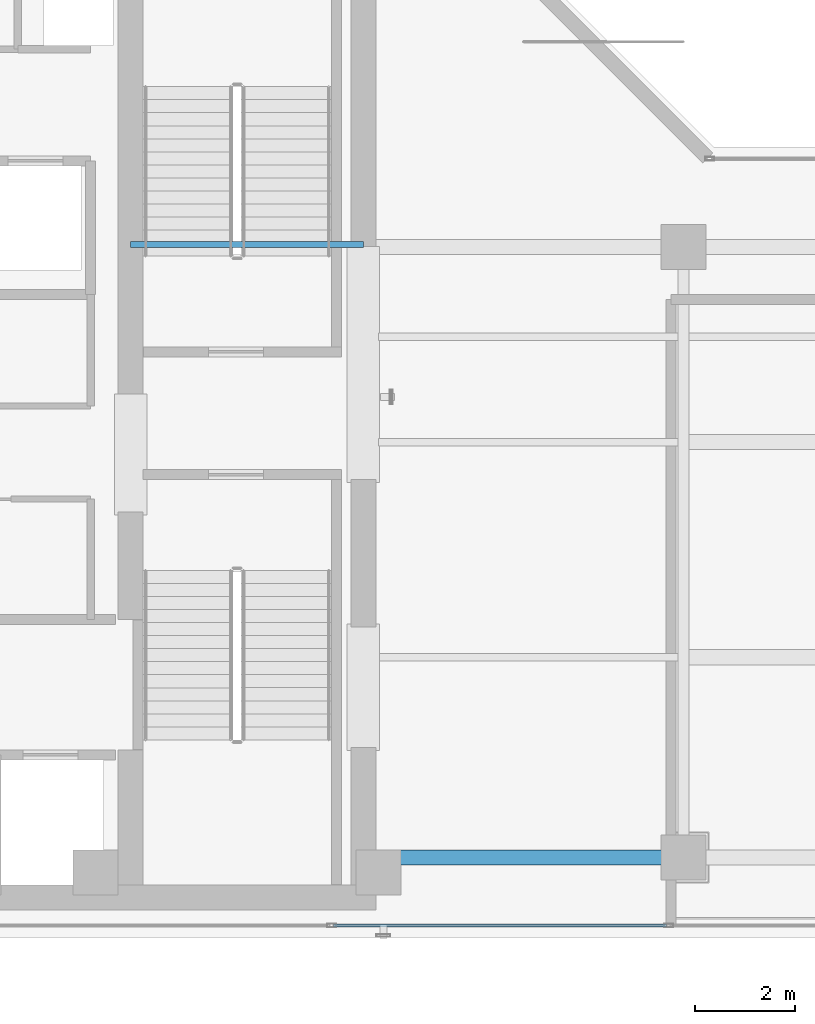
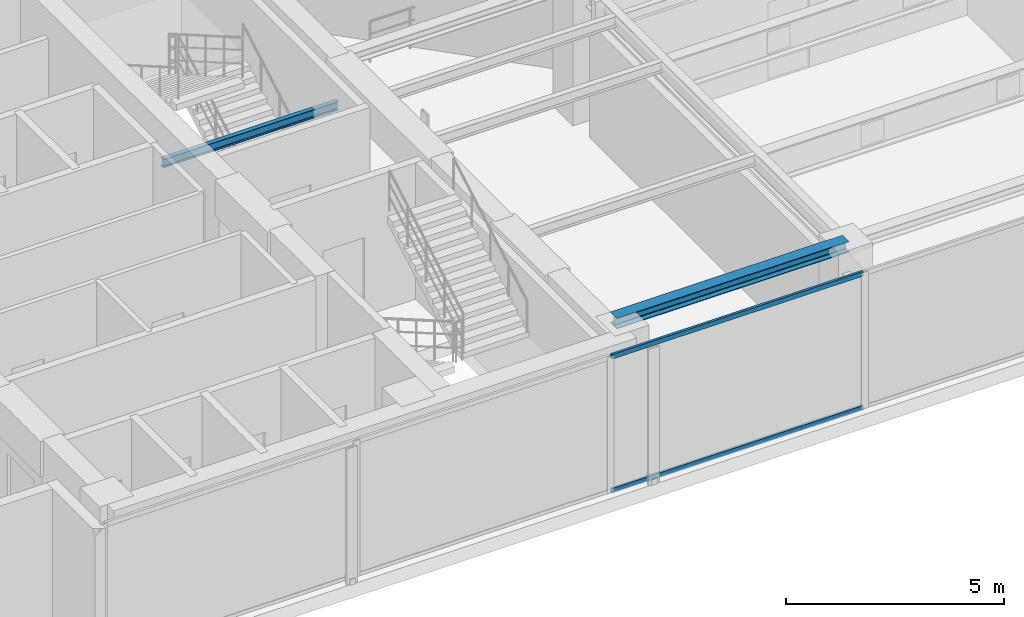
# One storey, part 5 of 32: 2 beams, 2 members, 1 element without a shape of its own.
"""IFC4 building model written with IfcOpenShell, lengths in metres."""

from ifc_helpers import new_model, si_unit, direction, frame, origin, origin_with_axes, origin_2d, place, context, subcontext, project, spatial, hollow_rectangle, i_section, extrude, source, transform, mapped, material, layer, layer_set, material_profile, profile_set, type_object, element, aggregate, save


model = new_model("IFC4")

# Units and contexts
model_context = context("Model", 3, precision=1e-05, world=origin(), true_north=direction((0.0, 1.0)))
body_context = subcontext(model_context, "Body", "Model", "MODEL_VIEW")
ifc_project = project(units=[si_unit("LENGTHUNIT", "METRE"), si_unit("AREAUNIT", "SQUARE_METRE"), si_unit("VOLUMEUNIT", "CUBIC_METRE"), si_unit("PLANEANGLEUNIT", "RADIAN"), si_unit("MASSUNIT", "GRAM", prefix="KILO")], contexts=[model_context])

# Site, building, storey
site_placement = place(None, origin())
site = spatial("IfcSite", under=ifc_project, at=site_placement, CompositionType="ELEMENT")
building_placement = place(site_placement, origin())
building = spatial("IfcBuilding", under=site, at=building_placement, Name="Kolvaren Waterfront Exchange", CompositionType="ELEMENT")
storey_placement = place(building_placement, frame((0.0, 0.0, 352.0)))
storey = spatial("IfcBuildingStorey", under=building, at=storey_placement, Name="L90", CompositionType="ELEMENT", Elevation=352.0)

# Beams
ifc_material_1 = material(Name="Steel S355", Category="steel")
ifc_material_profile_1 = material_profile(ifc_material_1, i_section(OverallWidth=0.300048828125, OverallDepth=0.300048828125, WebThickness=0.010986328125, FlangeThickness=0.01904296875, FilletRadius=0.027099609375, at=origin_2d()), Name="HEB300")
ifc_profile_set_1 = profile_set([ifc_material_profile_1], Name="Steel S355")
beam_type_1 = type_object("IfcBeamType", Name="STR-BM-HEB300", PredefinedType="SPANDREL", material=ifc_profile_set_1)
beam_1_placement = place(storey_placement, frame((21.050048828125, 5.199951171875, 3.669921875), z_axis=(1.0, 0.0, 0.0), x_axis=(0.0, 1.0, 0.0)))
element("IfcBeam", 1, at=beam_1_placement, inside=storey, type_object=beam_type_1, Name="L90 east-arm spandrel S1", PredefinedType="SPANDREL", context=body_context, shape_type="SweptSolid", body=[
    extrude(i_section(OverallWidth=0.300048828125, OverallDepth=0.300048828125, WebThickness=0.010986328125, FlangeThickness=0.01904296875, FilletRadius=0.027099609375, at=origin_2d()), origin(), (0.0, 0.0, 1.0), 6.14990234375),
])
ifc_material_profile_2 = material_profile(ifc_material_1, i_section(OverallWidth=0.1201171875, OverallDepth=0.239990234375, WebThickness=0.006103515625, FlangeThickness=0.009765625, FilletRadius=0.014892578125, at=origin_2d()), Name="IPE240")
ifc_profile_set_2 = profile_set([ifc_material_profile_2], Name="Steel S355")
beam_type_2 = type_object("IfcBeamType", Name="STR-BM-IPE240", PredefinedType="LINTEL", material=ifc_profile_set_2)
beam_2_placement = place(storey_placement, frame((16.14990234375, 17.449951171875, 2.3798828125), z_axis=(1.0, 0.0, 0.0), x_axis=(0.0, 1.0, 0.0)))
element("IfcBeam", 2, at=beam_2_placement, inside=storey, type_object=beam_type_2, Name="L90 core stair header lintel", PredefinedType="LINTEL", context=body_context, shape_type="SweptSolid", body=[
    extrude(i_section(OverallWidth=0.1201171875, OverallDepth=0.239990234375, WebThickness=0.006103515625, FlangeThickness=0.009765625, FilletRadius=0.014892578125, at=origin_2d()), origin(), (0.0, 0.0, 1.0), 4.650146484375),
])

# Curtain wall, members
ifc_material_2 = material(Name="Anodised bronze aluminium 6063-T6", Category="aluminium")
ifc_layer = layer(ifc_material_2, 0.219970703125, Name="Anodised bronze aluminium 6063-T6")
ifc_layer_set = layer_set([ifc_layer], Name="Anodised bronze aluminium 6063-T6")
curtain_wall_type = type_object("IfcCurtainWallType", Name="ARC-CW-SYS5", PredefinedType="USERDEFINED", material=ifc_layer_set)
curtain_wall_placement = place(storey_placement, origin())
curtain_wall = element("IfcCurtainWall", 3, at=curtain_wall_placement, inside=storey, type_object=curtain_wall_type, Name="L90 stick curtain wall CW5 (CW-L90-S)", ObjectType="STICK CURTAIN WALL", PredefinedType="USERDEFINED")
ifc_material_profile_3 = material_profile(ifc_material_2, hollow_rectangle(XDim=0.06494140625, YDim=0.1298828125, WallThickness=0.00390625, at=origin_2d()), Name="ALU-TRN-130x65x4")
ifc_profile_set_3 = profile_set([ifc_material_profile_3], Name="Anodised bronze aluminium 6063-T6")
member_type = type_object("IfcMemberType", Name="ARC-CWT-130", PredefinedType="USERDEFINED", material=ifc_profile_set_3)
shared_shape = source(origin_with_axes(), body_context, "Body", "SweptSolid", [
    extrude(hollow_rectangle(XDim=0.06494140625, YDim=0.1298828125, WallThickness=0.00390625, at=origin_2d()), origin(), (0.0, 0.0, 1.0), 6.658447265625),
])
member_1_placement = place(storey_placement, frame((20.2041015625, 3.840087890625, 0.032470703125), z_axis=(1.0, 0.0, 0.0), x_axis=(0.0, 1.0, 0.0)))
member_1 = element("IfcMember", 4, at=member_1_placement, type_object=member_type, Name="CW5 transom 3.1", ObjectType="TRANSOM", PredefinedType="USERDEFINED", context=body_context, shape_type="MappedRepresentation", body=[
    mapped(shared_shape, transform((0.0, 0.0, 0.0), x_axis=(1.0, 0.0, 0.0), y_axis=(0.0, 1.0, 0.0), z_axis=(0.0, 0.0, 1.0), scale=1.0)),
])
member_2_placement = place(storey_placement, frame((20.2041015625, 3.840087890625, 3.78759765625), z_axis=(1.0, 0.0, 0.0), x_axis=(0.0, 1.0, 0.0)))
member_2 = element("IfcMember", 5, at=member_2_placement, type_object=member_type, Name="CW5 transom 3.2", ObjectType="TRANSOM", PredefinedType="USERDEFINED", context=body_context, shape_type="MappedRepresentation", body=[
    mapped(shared_shape, transform((0.0, 0.0, 0.0), x_axis=(1.0, 0.0, 0.0), y_axis=(0.0, 1.0, 0.0), z_axis=(0.0, 0.0, 1.0), scale=1.0)),
])
aggregate(curtain_wall, [member_1, member_2])

save(model, "model.ifc")
